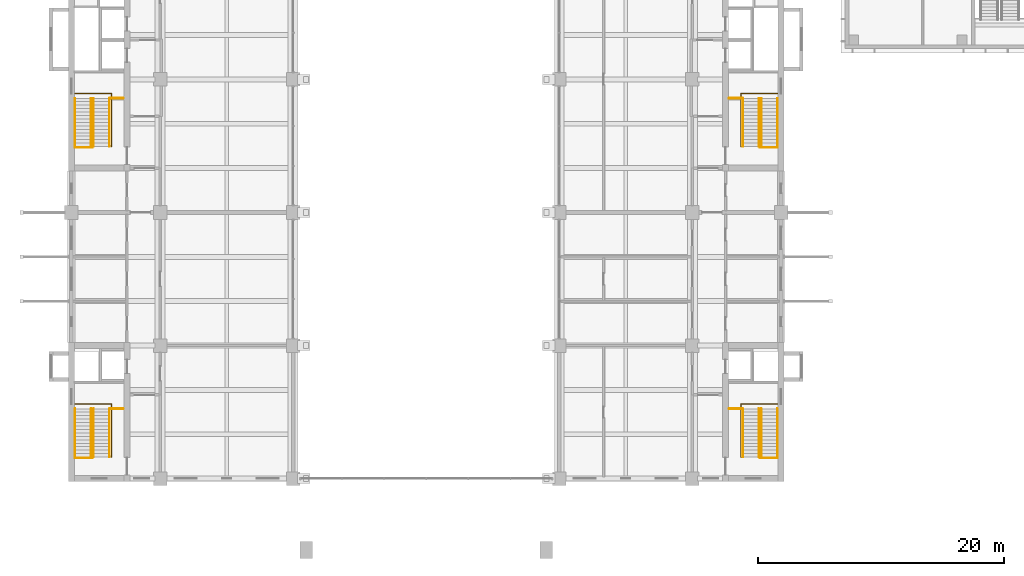
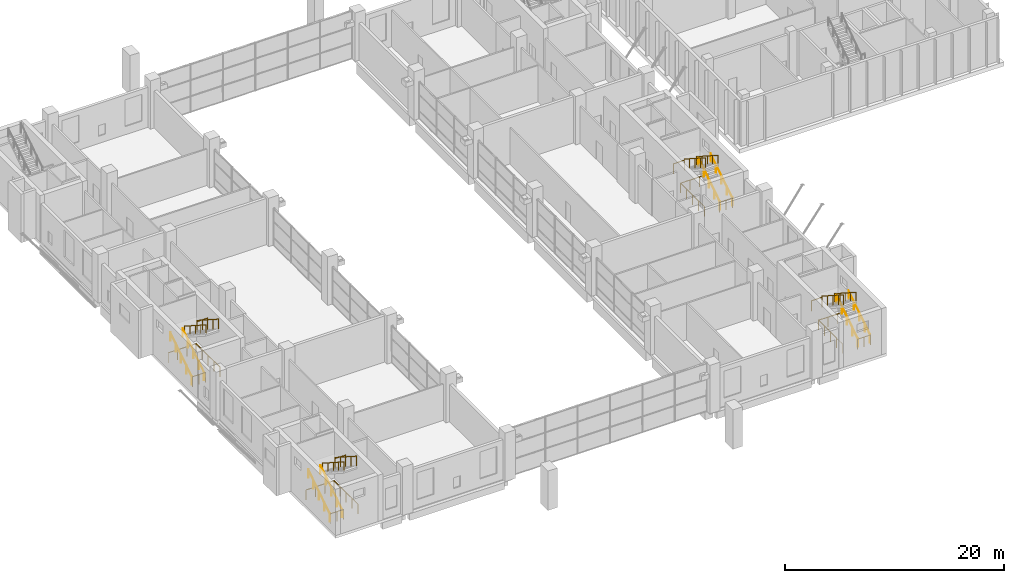
# One storey, part 35 of 38: 28 railings.
"""IFC4 building model written with IfcOpenShell, lengths in metres."""

from ifc_helpers import new_model, si_unit, direction, frame, origin, origin_2d, place, context, subcontext, project, spatial, circle, extrude, material, type_object, element, save


model = new_model("IFC4")

# Units and contexts
model_context = context("Model", 3, precision=1e-05, world=origin(), true_north=direction((0.0, 1.0)))
body_context = subcontext(model_context, "Body", "Model", "MODEL_VIEW")
ifc_project = project(units=[si_unit("LENGTHUNIT", "METRE"), si_unit("AREAUNIT", "SQUARE_METRE"), si_unit("VOLUMEUNIT", "CUBIC_METRE"), si_unit("PLANEANGLEUNIT", "RADIAN"), si_unit("MASSUNIT", "GRAM", prefix="KILO")], contexts=[model_context])

# Site, building, storey
site_placement = place(None, origin())
site = spatial("IfcSite", under=ifc_project, at=site_placement, CompositionType="ELEMENT")
building_placement = place(site_placement, origin())
building = spatial("IfcBuilding", under=site, at=building_placement, Name="Basin Gate Institute", CompositionType="ELEMENT")
storey_placement = place(building_placement, frame((0.0, 0.0, 16.800048828125)))
storey = spatial("IfcBuildingStorey", under=building, at=storey_placement, Name="L03", CompositionType="ELEMENT", Elevation=16.800048828125)

# Railings
ifc_material_1 = material(Name="Stainless steel", Category="steel")
railing_type_1 = type_object("IfcRailingType", Name="Stair guard GR1", PredefinedType="GUARDRAIL", material=ifc_material_1)
railing_1_placement = place(storey_placement, frame((64.449951171875, 36.85009765625, 0.0)))
element("IfcRailing", 1, at=railing_1_placement, inside=storey, type_object=railing_type_1, material=ifc_material_1, Name="Stair guard GR1 WS GD3-L02", PredefinedType="GUARDRAIL", context=body_context, shape_type="SweptSolid", body=[
    extrude(circle(Radius=0.02392578125, at=origin_2d()), frame((0.0, 0.0, 1.076171875), z_axis=(0.0, 1.0, 0.0), x_axis=(-1.0, 0.0, 0.0)), (0.0, 0.0, 1.0), 4.31982421875),
    extrude(circle(Radius=0.02392578125, at=origin_2d()), frame((0.0, 4.31982421875, 1.076171875), z_axis=(-1.0, 0.0, 0.0), x_axis=(0.0, -1.0, 0.0)), (0.0, 0.0, 1.0), 2.949951171875),
    extrude(circle(Radius=0.02099609375, at=origin_2d()), origin(), (0.0, 0.0, 1.0), 1.052001953125),
    extrude(circle(Radius=0.02099609375, at=origin_2d()), frame((0.0, 1.080078125, 0.0)), (0.0, 0.0, 1.0), 1.052001953125),
    extrude(circle(Radius=0.02099609375, at=origin_2d()), frame((0.0, 2.159912109375, 0.0)), (0.0, 0.0, 1.0), 1.052001953125),
    extrude(circle(Radius=0.02099609375, at=origin_2d()), frame((0.0, 3.23974609375, 0.0)), (0.0, 0.0, 1.0), 1.052001953125),
    extrude(circle(Radius=0.02099609375, at=origin_2d()), frame((0.0, 4.31982421875, 0.0)), (0.0, 0.0, 1.0), 1.052001953125),
    extrude(circle(Radius=0.02099609375, at=origin_2d()), frame((-0.9833984375, 4.31982421875, 0.0)), (0.0, 0.0, 1.0), 1.052001953125),
    extrude(circle(Radius=0.02099609375, at=origin_2d()), frame((-1.966552734375, 4.31982421875, 0.0)), (0.0, 0.0, 1.0), 1.052001953125),
    extrude(circle(Radius=0.02099609375, at=origin_2d()), frame((-2.949951171875, 4.31982421875, 0.0)), (0.0, 0.0, 1.0), 1.052001953125),
])
railing_2_placement = place(storey_placement, frame((61.5, 36.77001953125, 0.0)))
element("IfcRailing", 2, at=railing_2_placement, inside=storey, type_object=railing_type_1, material=ifc_material_1, Name="Stair guard GR1 WS GD4-L02", PredefinedType="GUARDRAIL", context=body_context, shape_type="SweptSolid", body=[
    extrude(circle(Radius=0.02392578125, at=origin_2d()), frame((0.0, 0.0, 1.076171875), z_axis=(1.0, 0.0, 0.0), x_axis=(0.0, 1.0, 0.0)), (0.0, 0.0, 1.0), 1.39990234375),
    extrude(circle(Radius=0.02099609375, at=origin_2d()), origin(), (0.0, 0.0, 1.0), 1.052001953125),
    extrude(circle(Radius=0.02099609375, at=origin_2d()), frame((0.699951171875, 0.0, 0.0)), (0.0, 0.0, 1.0), 1.052001953125),
    extrude(circle(Radius=0.02099609375, at=origin_2d()), frame((1.39990234375, 0.0, 0.0)), (0.0, 0.0, 1.0), 1.052001953125),
])
railing_3_placement = place(storey_placement, frame((64.449951171875, 62.050048828125, 0.0)))
element("IfcRailing", 3, at=railing_3_placement, inside=storey, type_object=railing_type_1, material=ifc_material_1, Name="Stair guard GR1 WM GD3-L02", PredefinedType="GUARDRAIL", context=body_context, shape_type="SweptSolid", body=[
    extrude(circle(Radius=0.02392578125, at=origin_2d()), frame((0.0, 0.0, 1.076171875), z_axis=(0.0, 1.0, 0.0), x_axis=(-1.0, 0.0, 0.0)), (0.0, 0.0, 1.0), 4.320068359375),
    extrude(circle(Radius=0.02392578125, at=origin_2d()), frame((0.0, 4.320068359375, 1.076171875), z_axis=(-1.0, 0.0, 0.0), x_axis=(0.0, -1.0, 0.0)), (0.0, 0.0, 1.0), 2.949951171875),
    extrude(circle(Radius=0.02099609375, at=origin_2d()), origin(), (0.0, 0.0, 1.0), 1.052001953125),
    extrude(circle(Radius=0.02099609375, at=origin_2d()), frame((0.0, 1.080078125, 0.0)), (0.0, 0.0, 1.0), 1.052001953125),
    extrude(circle(Radius=0.02099609375, at=origin_2d()), frame((0.0, 2.16015625, 0.0)), (0.0, 0.0, 1.0), 1.052001953125),
    extrude(circle(Radius=0.02099609375, at=origin_2d()), frame((0.0, 3.239990234375, 0.0)), (0.0, 0.0, 1.0), 1.052001953125),
    extrude(circle(Radius=0.02099609375, at=origin_2d()), frame((0.0, 4.320068359375, 0.0)), (0.0, 0.0, 1.0), 1.052001953125),
    extrude(circle(Radius=0.02099609375, at=origin_2d()), frame((-0.9833984375, 4.320068359375, 0.0)), (0.0, 0.0, 1.0), 1.052001953125),
    extrude(circle(Radius=0.02099609375, at=origin_2d()), frame((-1.966552734375, 4.320068359375, 0.0)), (0.0, 0.0, 1.0), 1.052001953125),
    extrude(circle(Radius=0.02099609375, at=origin_2d()), frame((-2.949951171875, 4.320068359375, 0.0)), (0.0, 0.0, 1.0), 1.052001953125),
])
railing_4_placement = place(storey_placement, frame((61.5, 61.969970703125, 0.0)))
element("IfcRailing", 4, at=railing_4_placement, inside=storey, type_object=railing_type_1, material=ifc_material_1, Name="Stair guard GR1 WM GD4-L02", PredefinedType="GUARDRAIL", context=body_context, shape_type="SweptSolid", body=[
    extrude(circle(Radius=0.02392578125, at=origin_2d()), frame((0.0, 0.0, 1.076171875), z_axis=(1.0, 0.0, 0.0), x_axis=(0.0, 1.0, 0.0)), (0.0, 0.0, 1.0), 1.39990234375),
    extrude(circle(Radius=0.02099609375, at=origin_2d()), origin(), (0.0, 0.0, 1.0), 1.052001953125),
    extrude(circle(Radius=0.02099609375, at=origin_2d()), frame((0.699951171875, 0.0, 0.0)), (0.0, 0.0, 1.0), 1.052001953125),
    extrude(circle(Radius=0.02099609375, at=origin_2d()), frame((1.39990234375, 0.0, 0.0)), (0.0, 0.0, 1.0), 1.052001953125),
])
railing_5_placement = place(storey_placement, frame((115.550048828125, 36.85009765625, 0.0)))
element("IfcRailing", 5, at=railing_5_placement, inside=storey, type_object=railing_type_1, material=ifc_material_1, Name="Stair guard GR1 ES GD3-L02", PredefinedType="GUARDRAIL", context=body_context, shape_type="SweptSolid", body=[
    extrude(circle(Radius=0.02392578125, at=origin_2d()), frame((0.0, 0.0, 1.076171875), z_axis=(0.0, 1.0, 0.0), x_axis=(-1.0, 0.0, 0.0)), (0.0, 0.0, 1.0), 4.31982421875),
    extrude(circle(Radius=0.02392578125, at=origin_2d()), frame((0.0, 4.31982421875, 1.076171875), z_axis=(1.0, 0.0, 0.0), x_axis=(0.0, 1.0, 0.0)), (0.0, 0.0, 1.0), 2.949951171875),
    extrude(circle(Radius=0.02099609375, at=origin_2d()), origin(), (0.0, 0.0, 1.0), 1.052001953125),
    extrude(circle(Radius=0.02099609375, at=origin_2d()), frame((0.0, 1.080078125, 0.0)), (0.0, 0.0, 1.0), 1.052001953125),
    extrude(circle(Radius=0.02099609375, at=origin_2d()), frame((0.0, 2.159912109375, 0.0)), (0.0, 0.0, 1.0), 1.052001953125),
    extrude(circle(Radius=0.02099609375, at=origin_2d()), frame((0.0, 3.23974609375, 0.0)), (0.0, 0.0, 1.0), 1.052001953125),
    extrude(circle(Radius=0.02099609375, at=origin_2d()), frame((0.0, 4.31982421875, 0.0)), (0.0, 0.0, 1.0), 1.052001953125),
    extrude(circle(Radius=0.02099609375, at=origin_2d()), frame((0.9833984375, 4.31982421875, 0.0)), (0.0, 0.0, 1.0), 1.052001953125),
    extrude(circle(Radius=0.02099609375, at=origin_2d()), frame((1.966552734375, 4.31982421875, 0.0)), (0.0, 0.0, 1.0), 1.052001953125),
    extrude(circle(Radius=0.02099609375, at=origin_2d()), frame((2.949951171875, 4.31982421875, 0.0)), (0.0, 0.0, 1.0), 1.052001953125),
])
railing_6_placement = place(storey_placement, frame((118.5, 36.77001953125, 0.0)))
element("IfcRailing", 6, at=railing_6_placement, inside=storey, type_object=railing_type_1, material=ifc_material_1, Name="Stair guard GR1 ES GD4-L02", PredefinedType="GUARDRAIL", context=body_context, shape_type="SweptSolid", body=[
    extrude(circle(Radius=0.02392578125, at=origin_2d()), frame((0.0, 0.0, 1.076171875), z_axis=(-1.0, 0.0, 0.0), x_axis=(0.0, -1.0, 0.0)), (0.0, 0.0, 1.0), 1.39990234375),
    extrude(circle(Radius=0.02099609375, at=origin_2d()), origin(), (0.0, 0.0, 1.0), 1.052001953125),
    extrude(circle(Radius=0.02099609375, at=origin_2d()), frame((-0.699951171875, 0.0, 0.0)), (0.0, 0.0, 1.0), 1.052001953125),
    extrude(circle(Radius=0.02099609375, at=origin_2d()), frame((-1.39990234375, 0.0, 0.0)), (0.0, 0.0, 1.0), 1.052001953125),
])
railing_7_placement = place(storey_placement, frame((115.550048828125, 62.050048828125, 0.0)))
element("IfcRailing", 7, at=railing_7_placement, inside=storey, type_object=railing_type_1, material=ifc_material_1, Name="Stair guard GR1 EM GD3-L02", PredefinedType="GUARDRAIL", context=body_context, shape_type="SweptSolid", body=[
    extrude(circle(Radius=0.02392578125, at=origin_2d()), frame((0.0, 0.0, 1.076171875), z_axis=(0.0, 1.0, 0.0), x_axis=(-1.0, 0.0, 0.0)), (0.0, 0.0, 1.0), 4.320068359375),
    extrude(circle(Radius=0.02392578125, at=origin_2d()), frame((0.0, 4.320068359375, 1.076171875), z_axis=(1.0, 0.0, 0.0), x_axis=(0.0, 1.0, 0.0)), (0.0, 0.0, 1.0), 2.949951171875),
    extrude(circle(Radius=0.02099609375, at=origin_2d()), origin(), (0.0, 0.0, 1.0), 1.052001953125),
    extrude(circle(Radius=0.02099609375, at=origin_2d()), frame((0.0, 1.080078125, 0.0)), (0.0, 0.0, 1.0), 1.052001953125),
    extrude(circle(Radius=0.02099609375, at=origin_2d()), frame((0.0, 2.16015625, 0.0)), (0.0, 0.0, 1.0), 1.052001953125),
    extrude(circle(Radius=0.02099609375, at=origin_2d()), frame((0.0, 3.239990234375, 0.0)), (0.0, 0.0, 1.0), 1.052001953125),
    extrude(circle(Radius=0.02099609375, at=origin_2d()), frame((0.0, 4.320068359375, 0.0)), (0.0, 0.0, 1.0), 1.052001953125),
    extrude(circle(Radius=0.02099609375, at=origin_2d()), frame((0.9833984375, 4.320068359375, 0.0)), (0.0, 0.0, 1.0), 1.052001953125),
    extrude(circle(Radius=0.02099609375, at=origin_2d()), frame((1.966552734375, 4.320068359375, 0.0)), (0.0, 0.0, 1.0), 1.052001953125),
    extrude(circle(Radius=0.02099609375, at=origin_2d()), frame((2.949951171875, 4.320068359375, 0.0)), (0.0, 0.0, 1.0), 1.052001953125),
])
railing_8_placement = place(storey_placement, frame((118.5, 61.969970703125, 0.0)))
element("IfcRailing", 8, at=railing_8_placement, inside=storey, type_object=railing_type_1, material=ifc_material_1, Name="Stair guard GR1 EM GD4-L02", PredefinedType="GUARDRAIL", context=body_context, shape_type="SweptSolid", body=[
    extrude(circle(Radius=0.02392578125, at=origin_2d()), frame((0.0, 0.0, 1.076171875), z_axis=(-1.0, 0.0, 0.0), x_axis=(0.0, -1.0, 0.0)), (0.0, 0.0, 1.0), 1.39990234375),
    extrude(circle(Radius=0.02099609375, at=origin_2d()), origin(), (0.0, 0.0, 1.0), 1.052001953125),
    extrude(circle(Radius=0.02099609375, at=origin_2d()), frame((-0.699951171875, 0.0, 0.0)), (0.0, 0.0, 1.0), 1.052001953125),
    extrude(circle(Radius=0.02099609375, at=origin_2d()), frame((-1.39990234375, 0.0, 0.0)), (0.0, 0.0, 1.0), 1.052001953125),
])
for number, where, name in (
    (9, (64.300048828125, 40.77001953125, 2.8798828125), "Stair guard GR1 WS GD1"),
    (10, (64.300048828125, 65.969970703125, 2.8798828125), "Stair guard GR1 WM GD1"),
    (11, (115.699951171875, 40.77001953125, 2.8798828125), "Stair guard GR1 ES GD1"),
    (12, (115.699951171875, 65.969970703125, 2.8798828125), "Stair guard GR1 EM GD1"),
):
    element("IfcRailing", number, at=place(storey_placement, frame(where)), inside=storey, type_object=railing_type_1, material=ifc_material_1, Name=name, PredefinedType="GUARDRAIL", context=body_context, shape_type="SweptSolid", body=[
        extrude(circle(Radius=0.02392578125, at=origin_2d()), frame((0.0, 0.0, 1.076171875), z_axis=(0.0, -0.841171666519, 0.540768182723), x_axis=(1.0, 0.0, 0.0)), (0.0, 0.0, 1.0), 4.66015625),
        extrude(circle(Radius=0.02099609375, at=origin_2d()), origin(), (0.0, 0.0, 1.0), 1.052001953125),
        extrude(circle(Radius=0.02099609375, at=origin_2d()), frame((0.0, -0.97998046875, 0.6298828125)), (0.0, 0.0, 1.0), 1.052001953125),
        extrude(circle(Radius=0.02099609375, at=origin_2d()), frame((0.0, -1.9599609375, 1.260009765625)), (0.0, 0.0, 1.0), 1.052001953125),
        extrude(circle(Radius=0.02099609375, at=origin_2d()), frame((0.0, -2.93994140625, 1.89013671875)), (0.0, 0.0, 1.0), 1.052001953125),
        extrude(circle(Radius=0.02099609375, at=origin_2d()), frame((0.0, -3.919921875, 2.52001953125)), (0.0, 0.0, 1.0), 1.052001953125),
    ])
ifc_material_2 = material(Name="Stainless steel", Category="steel")
railing_type_2 = type_object("IfcRailingType", Name="Stair guard GR3", PredefinedType="GUARDRAIL", material=ifc_material_2)
for number, where, name in (
    (13, (64.300048828125, 40.77001953125, 2.699951171875), "Stair guard GR3 WS GD2"),
    (14, (64.300048828125, 65.969970703125, 2.699951171875), "Stair guard GR3 WM GD2"),
):
    element("IfcRailing", number, at=place(storey_placement, frame(where)), inside=storey, type_object=railing_type_2, material=ifc_material_2, Name=name, PredefinedType="GUARDRAIL", context=body_context, shape_type="SweptSolid", body=[
        extrude(circle(Radius=0.02392578125, at=origin_2d()), frame((0.0, 0.0, 1.1259765625), z_axis=(1.0, 0.0, 0.0), x_axis=(0.0, 1.0, 0.0)), (0.0, 0.0, 1.0), 1.119873046875),
        extrude(circle(Radius=0.02099609375, at=origin_2d()), origin(), (0.0, 0.0, 1.0), 1.101806640625),
        extrude(circle(Radius=0.02099609375, at=origin_2d()), frame((1.119873046875, 0.0, 0.0)), (0.0, 0.0, 1.0), 1.101806640625),
    ])
for number, where, name in (
    (15, (115.699951171875, 40.77001953125, 2.699951171875), "Stair guard GR3 ES GD2"),
    (16, (115.699951171875, 65.969970703125, 2.699951171875), "Stair guard GR3 EM GD2"),
):
    element("IfcRailing", number, at=place(storey_placement, frame(where)), inside=storey, type_object=railing_type_2, material=ifc_material_2, Name=name, PredefinedType="GUARDRAIL", context=body_context, shape_type="SweptSolid", body=[
        extrude(circle(Radius=0.02392578125, at=origin_2d()), frame((0.0, 0.0, 1.1259765625), z_axis=(-1.0, 0.0, 0.0), x_axis=(0.0, -1.0, 0.0)), (0.0, 0.0, 1.0), 1.119873046875),
        extrude(circle(Radius=0.02099609375, at=origin_2d()), origin(), (0.0, 0.0, 1.0), 1.101806640625),
        extrude(circle(Radius=0.02099609375, at=origin_2d()), frame((-1.119873046875, 0.0, 0.0)), (0.0, 0.0, 1.0), 1.101806640625),
    ])
ifc_material_3 = material(Name="Stainless steel", Category="steel")
railing_type_3 = type_object("IfcRailingType", Name="Stair handrail HR1", PredefinedType="HANDRAIL", material=ifc_material_3)
for number, where, name in (
    (17, (61.5, 36.85009765625, 0.179931640625), "Stair handrail HR1 WS HR1"),
    (18, (62.800048828125, 36.85009765625, 0.179931640625), "Stair handrail HR1 WS HR2"),
):
    element("IfcRailing", number, at=place(storey_placement, frame(where)), inside=storey, type_object=railing_type_3, material=ifc_material_3, Name=name, PredefinedType="HANDRAIL", context=body_context, shape_type="SweptSolid", body=[
        extrude(circle(Radius=0.02392578125, at=origin_2d()), frame((0.0, 0.0, 0.89599609375), z_axis=(0.0, 0.841171666519, 0.540768182723), x_axis=(-1.0, 0.0, 0.0)), (0.0, 0.0, 1.0), 4.66015625),
        extrude(circle(Radius=0.02099609375, at=origin_2d()), origin(), (0.0, 0.0, 1.0), 0.871826171875),
        extrude(circle(Radius=0.02099609375, at=origin_2d()), frame((0.0, 0.97998046875, 0.6298828125)), (0.0, 0.0, 1.0), 0.871826171875),
        extrude(circle(Radius=0.02099609375, at=origin_2d()), frame((0.0, 1.9599609375, 1.260009765625)), (0.0, 0.0, 1.0), 0.871826171875),
        extrude(circle(Radius=0.02099609375, at=origin_2d()), frame((0.0, 2.93994140625, 1.89013671875)), (0.0, 0.0, 1.0), 0.871826171875),
        extrude(circle(Radius=0.02099609375, at=origin_2d()), frame((0.0, 3.919921875, 2.52001953125)), (0.0, 0.0, 1.0), 0.871826171875),
    ])
railing_9_placement = place(storey_placement, frame((63.0, 40.77001953125, 2.8798828125)))
element("IfcRailing", 19, at=railing_9_placement, inside=storey, type_object=railing_type_3, material=ifc_material_3, Name="Stair handrail HR1 WS HR3", PredefinedType="HANDRAIL", context=body_context, shape_type="SweptSolid", body=[
    extrude(circle(Radius=0.02392578125, at=origin_2d()), frame((0.0, 0.0, 0.89599609375), z_axis=(0.0, -0.841171666519, 0.540768182723), x_axis=(1.0, 0.0, 0.0)), (0.0, 0.0, 1.0), 4.66015625),
    extrude(circle(Radius=0.02099609375, at=origin_2d()), origin(), (0.0, 0.0, 1.0), 0.871826171875),
    extrude(circle(Radius=0.02099609375, at=origin_2d()), frame((0.0, -0.97998046875, 0.6298828125)), (0.0, 0.0, 1.0), 0.871826171875),
    extrude(circle(Radius=0.02099609375, at=origin_2d()), frame((0.0, -1.9599609375, 1.260009765625)), (0.0, 0.0, 1.0), 0.871826171875),
    extrude(circle(Radius=0.02099609375, at=origin_2d()), frame((0.0, -2.93994140625, 1.89013671875)), (0.0, 0.0, 1.0), 0.871826171875),
    extrude(circle(Radius=0.02099609375, at=origin_2d()), frame((0.0, -3.919921875, 2.52001953125)), (0.0, 0.0, 1.0), 0.871826171875),
])
for number, where, name in (
    (20, (61.5, 62.050048828125, 0.179931640625), "Stair handrail HR1 WM HR1"),
    (21, (62.800048828125, 62.050048828125, 0.179931640625), "Stair handrail HR1 WM HR2"),
):
    element("IfcRailing", number, at=place(storey_placement, frame(where)), inside=storey, type_object=railing_type_3, material=ifc_material_3, Name=name, PredefinedType="HANDRAIL", context=body_context, shape_type="SweptSolid", body=[
        extrude(circle(Radius=0.02392578125, at=origin_2d()), frame((0.0, 0.0, 0.89599609375), z_axis=(0.0, 0.841171666519, 0.540768182723), x_axis=(-1.0, 0.0, 0.0)), (0.0, 0.0, 1.0), 4.66015625),
        extrude(circle(Radius=0.02099609375, at=origin_2d()), origin(), (0.0, 0.0, 1.0), 0.871826171875),
        extrude(circle(Radius=0.02099609375, at=origin_2d()), frame((0.0, 0.97998046875, 0.6298828125)), (0.0, 0.0, 1.0), 0.871826171875),
        extrude(circle(Radius=0.02099609375, at=origin_2d()), frame((0.0, 1.9599609375, 1.260009765625)), (0.0, 0.0, 1.0), 0.871826171875),
        extrude(circle(Radius=0.02099609375, at=origin_2d()), frame((0.0, 2.93994140625, 1.89013671875)), (0.0, 0.0, 1.0), 0.871826171875),
        extrude(circle(Radius=0.02099609375, at=origin_2d()), frame((0.0, 3.919921875, 2.52001953125)), (0.0, 0.0, 1.0), 0.871826171875),
    ])
railing_10_placement = place(storey_placement, frame((63.0, 65.969970703125, 2.8798828125)))
element("IfcRailing", 22, at=railing_10_placement, inside=storey, type_object=railing_type_3, material=ifc_material_3, Name="Stair handrail HR1 WM HR3", PredefinedType="HANDRAIL", context=body_context, shape_type="SweptSolid", body=[
    extrude(circle(Radius=0.02392578125, at=origin_2d()), frame((0.0, 0.0, 0.89599609375), z_axis=(0.0, -0.841171666519, 0.540768182723), x_axis=(1.0, 0.0, 0.0)), (0.0, 0.0, 1.0), 4.66015625),
    extrude(circle(Radius=0.02099609375, at=origin_2d()), origin(), (0.0, 0.0, 1.0), 0.871826171875),
    extrude(circle(Radius=0.02099609375, at=origin_2d()), frame((0.0, -0.97998046875, 0.6298828125)), (0.0, 0.0, 1.0), 0.871826171875),
    extrude(circle(Radius=0.02099609375, at=origin_2d()), frame((0.0, -1.9599609375, 1.260009765625)), (0.0, 0.0, 1.0), 0.871826171875),
    extrude(circle(Radius=0.02099609375, at=origin_2d()), frame((0.0, -2.93994140625, 1.89013671875)), (0.0, 0.0, 1.0), 0.871826171875),
    extrude(circle(Radius=0.02099609375, at=origin_2d()), frame((0.0, -3.919921875, 2.52001953125)), (0.0, 0.0, 1.0), 0.871826171875),
])
for number, where, name in (
    (23, (118.5, 36.85009765625, 0.179931640625), "Stair handrail HR1 ES HR1"),
    (24, (117.199951171875, 36.85009765625, 0.179931640625), "Stair handrail HR1 ES HR2"),
):
    element("IfcRailing", number, at=place(storey_placement, frame(where)), inside=storey, type_object=railing_type_3, material=ifc_material_3, Name=name, PredefinedType="HANDRAIL", context=body_context, shape_type="SweptSolid", body=[
        extrude(circle(Radius=0.02392578125, at=origin_2d()), frame((0.0, 0.0, 0.89599609375), z_axis=(0.0, 0.841171666519, 0.540768182723), x_axis=(-1.0, 0.0, 0.0)), (0.0, 0.0, 1.0), 4.66015625),
        extrude(circle(Radius=0.02099609375, at=origin_2d()), origin(), (0.0, 0.0, 1.0), 0.871826171875),
        extrude(circle(Radius=0.02099609375, at=origin_2d()), frame((0.0, 0.97998046875, 0.6298828125)), (0.0, 0.0, 1.0), 0.871826171875),
        extrude(circle(Radius=0.02099609375, at=origin_2d()), frame((0.0, 1.9599609375, 1.260009765625)), (0.0, 0.0, 1.0), 0.871826171875),
        extrude(circle(Radius=0.02099609375, at=origin_2d()), frame((0.0, 2.93994140625, 1.89013671875)), (0.0, 0.0, 1.0), 0.871826171875),
        extrude(circle(Radius=0.02099609375, at=origin_2d()), frame((0.0, 3.919921875, 2.52001953125)), (0.0, 0.0, 1.0), 0.871826171875),
    ])
railing_11_placement = place(storey_placement, frame((117.0, 40.77001953125, 2.8798828125)))
element("IfcRailing", 25, at=railing_11_placement, inside=storey, type_object=railing_type_3, material=ifc_material_3, Name="Stair handrail HR1 ES HR3", PredefinedType="HANDRAIL", context=body_context, shape_type="SweptSolid", body=[
    extrude(circle(Radius=0.02392578125, at=origin_2d()), frame((0.0, 0.0, 0.89599609375), z_axis=(0.0, -0.841171666519, 0.540768182723), x_axis=(1.0, 0.0, 0.0)), (0.0, 0.0, 1.0), 4.66015625),
    extrude(circle(Radius=0.02099609375, at=origin_2d()), origin(), (0.0, 0.0, 1.0), 0.871826171875),
    extrude(circle(Radius=0.02099609375, at=origin_2d()), frame((0.0, -0.97998046875, 0.6298828125)), (0.0, 0.0, 1.0), 0.871826171875),
    extrude(circle(Radius=0.02099609375, at=origin_2d()), frame((0.0, -1.9599609375, 1.260009765625)), (0.0, 0.0, 1.0), 0.871826171875),
    extrude(circle(Radius=0.02099609375, at=origin_2d()), frame((0.0, -2.93994140625, 1.89013671875)), (0.0, 0.0, 1.0), 0.871826171875),
    extrude(circle(Radius=0.02099609375, at=origin_2d()), frame((0.0, -3.919921875, 2.52001953125)), (0.0, 0.0, 1.0), 0.871826171875),
])
for number, where, name in (
    (26, (118.5, 62.050048828125, 0.179931640625), "Stair handrail HR1 EM HR1"),
    (27, (117.199951171875, 62.050048828125, 0.179931640625), "Stair handrail HR1 EM HR2"),
):
    element("IfcRailing", number, at=place(storey_placement, frame(where)), inside=storey, type_object=railing_type_3, material=ifc_material_3, Name=name, PredefinedType="HANDRAIL", context=body_context, shape_type="SweptSolid", body=[
        extrude(circle(Radius=0.02392578125, at=origin_2d()), frame((0.0, 0.0, 0.89599609375), z_axis=(0.0, 0.841171666519, 0.540768182723), x_axis=(-1.0, 0.0, 0.0)), (0.0, 0.0, 1.0), 4.66015625),
        extrude(circle(Radius=0.02099609375, at=origin_2d()), origin(), (0.0, 0.0, 1.0), 0.871826171875),
        extrude(circle(Radius=0.02099609375, at=origin_2d()), frame((0.0, 0.97998046875, 0.6298828125)), (0.0, 0.0, 1.0), 0.871826171875),
        extrude(circle(Radius=0.02099609375, at=origin_2d()), frame((0.0, 1.9599609375, 1.260009765625)), (0.0, 0.0, 1.0), 0.871826171875),
        extrude(circle(Radius=0.02099609375, at=origin_2d()), frame((0.0, 2.93994140625, 1.89013671875)), (0.0, 0.0, 1.0), 0.871826171875),
        extrude(circle(Radius=0.02099609375, at=origin_2d()), frame((0.0, 3.919921875, 2.52001953125)), (0.0, 0.0, 1.0), 0.871826171875),
    ])
railing_12_placement = place(storey_placement, frame((117.0, 65.969970703125, 2.8798828125)))
element("IfcRailing", 28, at=railing_12_placement, inside=storey, type_object=railing_type_3, material=ifc_material_3, Name="Stair handrail HR1 EM HR3", PredefinedType="HANDRAIL", context=body_context, shape_type="SweptSolid", body=[
    extrude(circle(Radius=0.02392578125, at=origin_2d()), frame((0.0, 0.0, 0.89599609375), z_axis=(0.0, -0.841171666519, 0.540768182723), x_axis=(1.0, 0.0, 0.0)), (0.0, 0.0, 1.0), 4.66015625),
    extrude(circle(Radius=0.02099609375, at=origin_2d()), origin(), (0.0, 0.0, 1.0), 0.871826171875),
    extrude(circle(Radius=0.02099609375, at=origin_2d()), frame((0.0, -0.97998046875, 0.6298828125)), (0.0, 0.0, 1.0), 0.871826171875),
    extrude(circle(Radius=0.02099609375, at=origin_2d()), frame((0.0, -1.9599609375, 1.260009765625)), (0.0, 0.0, 1.0), 0.871826171875),
    extrude(circle(Radius=0.02099609375, at=origin_2d()), frame((0.0, -2.93994140625, 1.89013671875)), (0.0, 0.0, 1.0), 0.871826171875),
    extrude(circle(Radius=0.02099609375, at=origin_2d()), frame((0.0, -3.919921875, 2.52001953125)), (0.0, 0.0, 1.0), 0.871826171875),
])

save(model, "model.ifc")
